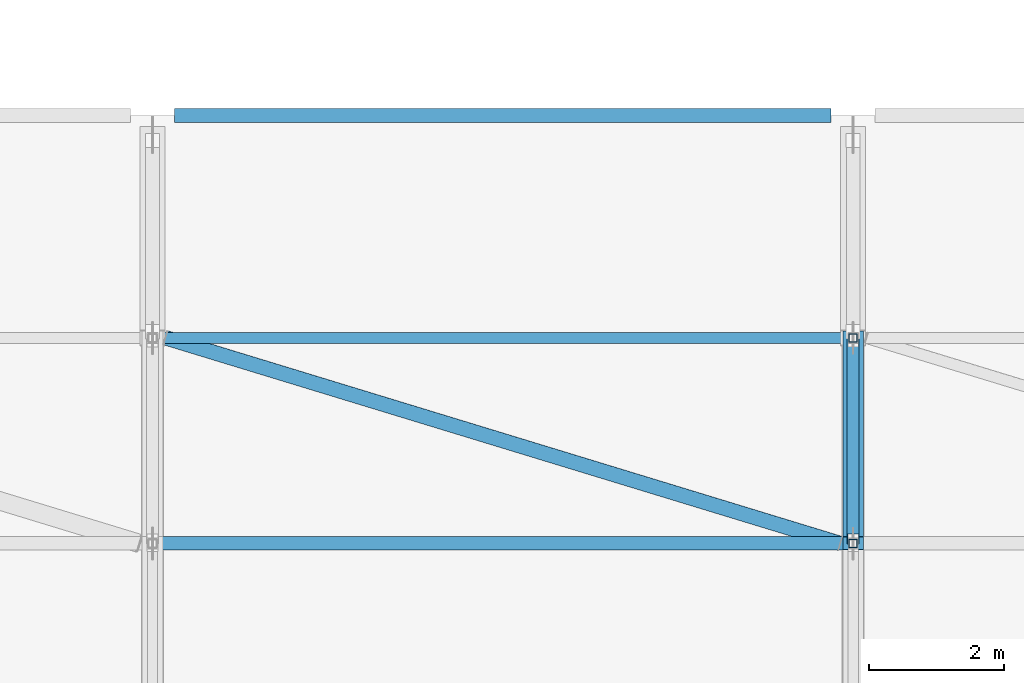
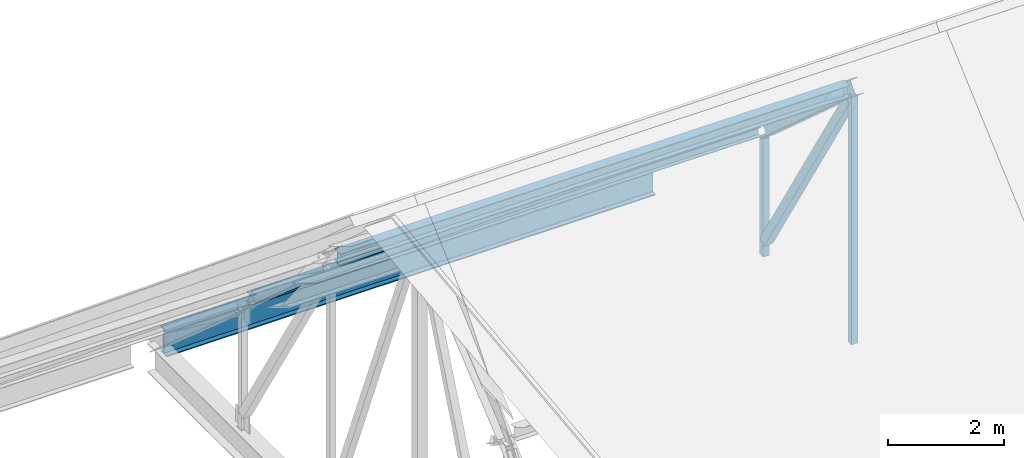
# One storey, part 28 of 86: 5 members, 3 beams.
"""IFC4 building model written with IfcOpenShell, lengths in metres."""

from ifc_helpers import new_model, si_unit, derived_unit, direction, frame, origin, origin_2d, place, context, subcontext, project, spatial, hollow_rectangle, hollow_circle, i_section, extrude, material, material_profile, profile_set, type_object, element, save


model = new_model("IFC4")

# Units and contexts
model_context = context("Model", 3, precision=1e-05, world=origin(), true_north=direction((0.0, 1.0)))
body_context = subcontext(model_context, "Body", "Model", "MODEL_VIEW")
ifc_project = project(units=[si_unit("LENGTHUNIT", "METRE"), si_unit("AREAUNIT", "SQUARE_METRE"), si_unit("VOLUMEUNIT", "CUBIC_METRE"), si_unit("PLANEANGLEUNIT", "RADIAN"), si_unit("MASSUNIT", "GRAM", prefix="KILO"), derived_unit("THERMALTRANSMITTANCEUNIT", [(si_unit("POWERUNIT", "WATT"), 1), (si_unit("LENGTHUNIT", "METRE"), -2), (si_unit("THERMODYNAMICTEMPERATUREUNIT", "KELVIN"), -1)])], contexts=[model_context])

# Site, building, storey
site_placement = place(None, origin())
site = spatial("IfcSite", under=ifc_project, at=site_placement, CompositionType="ELEMENT")
building_placement = place(site_placement, origin())
building = spatial("IfcBuilding", under=site, at=building_placement, Name="Braskholm Square Health Centre", CompositionType="ELEMENT")
storey_placement = place(building_placement, frame((0.0, 0.0, 13.5)))
storey = spatial("IfcBuildingStorey", under=building, at=storey_placement, Name="L04", CompositionType="ELEMENT", Elevation=13.5)

# Member
ifc_material_1 = material(Name="Steel ASTM A500 Grade C", Category="steel")
ifc_material_profile_1 = material_profile(ifc_material_1, hollow_circle(Radius=0.109619140625, WallThickness=0.0087890625, at=origin_2d()), Name="HSS8.625X0.375")
ifc_profile_set_1 = profile_set([ifc_material_profile_1], Name="Steel ASTM A500 Grade C")
member_type_1 = type_object("IfcMemberType", Name="RoofPlanBraceCHS219", PredefinedType="BRACE", material=ifc_profile_set_1)
member_1_placement = place(storey_placement, frame((89.39990234375, 103.699951171875, 2.402099609375), z_axis=(0.925704815743, -0.282344488845, 0.251698596995), x_axis=(0.291736758099, 0.956498648182, 0.0)))
element("IfcMember", 1, at=member_1_placement, inside=storey, type_object=member_type_1, Name="ROOF TRUSS slope brace North Bay 5", PredefinedType="BRACE", context=body_context, shape_type="SweptSolid", body=[
    extrude(hollow_circle(Radius=0.109619140625, WallThickness=0.0087890625, at=origin_2d()), origin(), (0.0, 0.0, 1.0), 10.802490234375),
])

# Beams
ifc_material_2 = material(Name="Steel ASTM A992 Grade 50", Category="steel")
ifc_material_profile_2 = material_profile(ifc_material_2, i_section(OverallWidth=0.201904296875, OverallDepth=0.2470703125, WebThickness=0.00732421875, FlangeThickness=0.010986328125, at=origin_2d()), Name="W10X33")
ifc_profile_set_2 = profile_set([ifc_material_profile_2], Name="Steel ASTM A992 Grade 50")
beam_type_1 = type_object("IfcBeamType", Name="RoofPurlinJoistW10X33", PredefinedType="JOIST", material=ifc_profile_set_2)
beam_1_placement = place(storey_placement, frame((89.320068359375, 100.64990234375, 5.12109375), z_axis=(1.0, 0.0, 0.0), x_axis=(0.0, 1.0, 0.0)))
element("IfcBeam", 2, at=beam_1_placement, inside=storey, type_object=beam_type_1, Name="ROOF TRUSS purlin joist 024", PredefinedType="JOIST", context=body_context, shape_type="SweptSolid", body=[
    extrude(i_section(OverallWidth=0.201904296875, OverallDepth=0.2470703125, WebThickness=0.00732421875, FlangeThickness=0.010986328125, at=origin_2d()), origin(), (0.0, 0.0, 1.0), 10.159912109375),
])
ifc_material_profile_3 = material_profile(ifc_material_2, i_section(OverallWidth=0.1650390625, OverallDepth=0.200927734375, WebThickness=0.006103515625, FlangeThickness=0.01025390625, at=origin_2d()), Name="W8X24")
ifc_profile_set_3 = profile_set([ifc_material_profile_3], Name="Steel ASTM A992 Grade 50")
beam_type_2 = type_object("IfcBeamType", Name="RoofPurlinJoistW8X24", PredefinedType="JOIST", material=ifc_profile_set_3)
beam_2_placement = place(storey_placement, frame((89.320068359375, 103.699951171875, 2.402099609375), z_axis=(1.0, 0.0, 0.0), x_axis=(0.0, 1.0, 0.0)))
element("IfcBeam", 3, at=beam_2_placement, inside=storey, type_object=beam_type_2, Name="ROOF TRUSS purlin joist 025", PredefinedType="JOIST", context=body_context, shape_type="SweptSolid", body=[
    extrude(i_section(OverallWidth=0.1650390625, OverallDepth=0.200927734375, WebThickness=0.006103515625, FlangeThickness=0.01025390625, at=origin_2d()), origin(), (0.0, 0.0, 1.0), 10.159912109375),
])
ifc_material_profile_4 = material_profile(ifc_material_2, i_section(OverallWidth=0.2119140625, OverallDepth=0.5439453125, WebThickness=0.01318359375, FlangeThickness=0.021240234375, at=origin_2d()), Name="W21X83")
ifc_profile_set_4 = profile_set([ifc_material_profile_4], Name="Steel ASTM A992 Grade 50")
beam_type_3 = type_object("IfcBeamType", Name="SteelGirderEaveW21X83", PredefinedType="BEAM", material=ifc_profile_set_4)
beam_3_placement = place(storey_placement, frame((89.52490234375, 107.0, -0.572021484375), z_axis=(1.0, 0.0, 0.0), x_axis=(0.0, 1.0, 0.0)))
element("IfcBeam", 4, at=beam_3_placement, inside=storey, type_object=beam_type_3, Name="Beam 12-13/R L04", PredefinedType="BEAM", context=body_context, shape_type="SweptSolid", body=[
    extrude(i_section(OverallWidth=0.2119140625, OverallDepth=0.5439453125, WebThickness=0.01318359375, FlangeThickness=0.021240234375, at=origin_2d()), origin(), (0.0, 0.0, 1.0), 9.75),
])

# Members
ifc_material_profile_5 = material_profile(ifc_material_2, i_section(OverallWidth=0.304931640625, OverallDepth=0.306884765625, WebThickness=0.010009765625, FlangeThickness=0.015380859375, at=origin_2d()), Name="W12X65")
ifc_profile_set_5 = profile_set([ifc_material_profile_5], Name="Steel ASTM A992 Grade 50")
member_type_2 = type_object("IfcMemberType", Name="TrussHipChordW12X65", PredefinedType="CHORD", material=ifc_profile_set_5)
member_2_placement = place(storey_placement, frame((99.60009765625, 100.64990234375, 5.101318359375), z_axis=(0.0, 0.746426169494, -0.665468236278), x_axis=(-1.0, 0.0, 0.0)))
element("IfcMember", 5, at=member_2_placement, inside=storey, type_object=member_type_2, Name="ROOF TRUSS top chord TR-06-5", PredefinedType="CHORD", context=body_context, shape_type="SweptSolid", body=[
    extrude(i_section(OverallWidth=0.304931640625, OverallDepth=0.306884765625, WebThickness=0.010009765625, FlangeThickness=0.015380859375, at=origin_2d()), origin(), (0.0, 0.0, 1.0), 4.086181640625),
])
ifc_material_profile_6 = material_profile(ifc_material_1, hollow_rectangle(XDim=0.177734375, YDim=0.177734375, WallThickness=0.0087890625, at=origin_2d()), Name="HSS7X7X3/8")
ifc_profile_set_6 = profile_set([ifc_material_profile_6], Name="Steel ASTM A500 Grade C")
member_type_3 = type_object("IfcMemberType", Name="TrussInnerDiagHSS7X7", PredefinedType="BRACE", material=ifc_profile_set_6)
member_3_placement = place(storey_placement, frame((99.60009765625, 103.636962890625, 0.06201171875), z_axis=(0.0, -0.522065213128, 0.852905571117), x_axis=(1.0, 0.0, 0.0)))
element("IfcMember", 6, at=member_3_placement, inside=storey, type_object=member_type_3, Name="ROOF TRUSS diagonal web TR-06-D5", PredefinedType="BRACE", context=body_context, shape_type="SweptSolid", body=[
    extrude(hollow_rectangle(XDim=0.177734375, YDim=0.177734375, WallThickness=0.0087890625, at=origin_2d()), origin(), (0.0, 0.0, 1.0), 5.60107421875),
])
ifc_material_profile_7 = material_profile(ifc_material_1, hollow_rectangle(XDim=0.126953125, YDim=0.126953125, WallThickness=0.00732421875, at=origin_2d()), Name="HSS5X5X5/16")
ifc_profile_set_7 = profile_set([ifc_material_profile_7], Name="Steel ASTM A500 Grade C")
member_type_4 = type_object("IfcMemberType", Name="TrussVerticalStrutHSS5X5", PredefinedType="STRUT", material=ifc_profile_set_7)
member_4_placement = place(storey_placement, frame((99.60009765625, 100.64990234375, -0.27001953125), z_axis=(0.0, 0.0, 1.0), x_axis=(1.0, 0.0, 0.0)))
element("IfcMember", 7, at=member_4_placement, inside=storey, type_object=member_type_4, Name="ROOF TRUSS vertical strut TR-06-V4", PredefinedType="STRUT", context=body_context, shape_type="SweptSolid", body=[
    extrude(hollow_rectangle(XDim=0.126953125, YDim=0.126953125, WallThickness=0.00732421875, at=origin_2d()), origin(), (0.0, 0.0, 1.0), 5.21142578125),
])
member_5_placement = place(storey_placement, frame((99.60009765625, 103.699951171875, -0.27001953125), z_axis=(0.0, 0.0, 1.0), x_axis=(1.0, 0.0, 0.0)))
element("IfcMember", 8, at=member_5_placement, inside=storey, type_object=member_type_4, Name="ROOF TRUSS vertical strut TR-06-V5", PredefinedType="STRUT", context=body_context, shape_type="SweptSolid", body=[
    extrude(hollow_rectangle(XDim=0.126953125, YDim=0.126953125, WallThickness=0.00732421875, at=origin_2d()), origin(), (0.0, 0.0, 1.0), 2.4921875),
])

save(model, "model.ifc")
